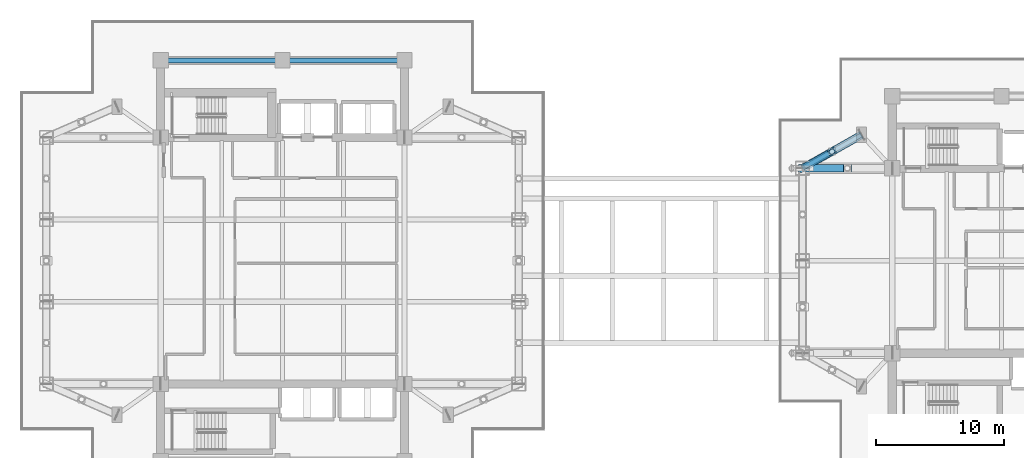
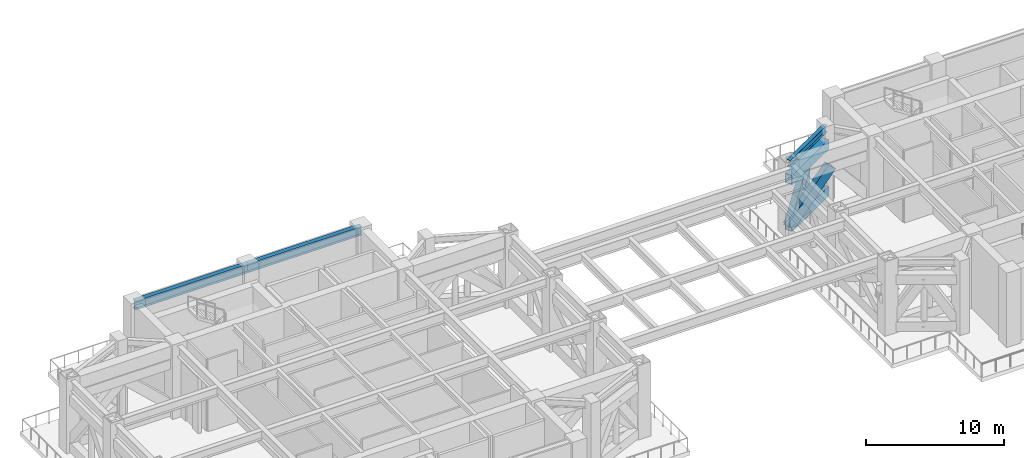
# One storey, part 4 of 21: 5 members, 3 beams.
"""IFC4 building model written with IfcOpenShell, lengths in metres."""

from ifc_helpers import new_model, si_unit, direction, frame, origin, origin_2d, place, context, subcontext, project, spatial, hollow_rectangle, hollow_circle, i_section, extrude, material, material_profile, profile_set, type_object, element, save


model = new_model("IFC4")

# Units and contexts
model_context = context("Model", 3, precision=1e-05, world=origin(), true_north=direction((0.0, 1.0)))
body_context = subcontext(model_context, "Body", "Model", "MODEL_VIEW")
ifc_project = project(units=[si_unit("LENGTHUNIT", "METRE"), si_unit("AREAUNIT", "SQUARE_METRE"), si_unit("VOLUMEUNIT", "CUBIC_METRE"), si_unit("PLANEANGLEUNIT", "RADIAN"), si_unit("MASSUNIT", "GRAM", prefix="KILO")], contexts=[model_context])

# Site, building, storey
site_placement = place(None, origin())
site = spatial("IfcSite", under=ifc_project, at=site_placement, CompositionType="ELEMENT")
building_placement = place(site_placement, origin())
building = spatial("IfcBuilding", under=site, at=building_placement, Name="Mirazonda Arch Towers", CompositionType="ELEMENT")
storey_placement = place(building_placement, frame((0.0, 0.0, 81.800048828125)))
storey = spatial("IfcBuildingStorey", under=building, at=storey_placement, Name="L23", CompositionType="ELEMENT", Elevation=81.800048828125)

# Beams
ifc_material_1 = material(Name="Steel ASTM A992 Grade 50", Category="steel")
ifc_material_profile_1 = material_profile(ifc_material_1, i_section(OverallWidth=0.324951171875, OverallDepth=0.615966796875, WebThickness=0.013916015625, FlangeThickness=0.021484375, at=origin_2d()), Name="W24X117")
ifc_profile_set_1 = profile_set([ifc_material_profile_1], Name="Steel ASTM A992 Grade 50")
beam_type_1 = type_object("IfcBeamType", Name="BM-INT-W24X117", PredefinedType="BEAM", material=ifc_profile_set_1)
beam_placement = place(storey_placement, frame((65.60009765625, 37.800048828125, 6.072021484375), z_axis=(-0.870559396632, -0.492063346467, 0.0), x_axis=(0.492063346467, -0.870559396632, 0.0)))
element("IfcBeam", 1, at=beam_placement, inside=storey, type_object=beam_type_1, Name="L23 Floor Beam BM-T2-L23-PL-NW2", PredefinedType="BEAM", context=body_context, shape_type="SweptSolid", body=[
    extrude(i_section(OverallWidth=0.324951171875, OverallDepth=0.615966796875, WebThickness=0.013916015625, FlangeThickness=0.021484375, at=origin_2d()), origin(), (0.0, 0.0, 1.0), 5.2841796875),
])
ifc_material_profile_2 = material_profile(ifc_material_1, i_section(OverallWidth=0.381103515625, OverallDepth=0.77294921875, WebThickness=0.0166015625, FlangeThickness=0.027099609375, at=origin_2d()), Name="W30X173")
ifc_profile_set_2 = profile_set([ifc_material_profile_2], Name="Steel ASTM A992 Grade 50")
beam_type_2 = type_object("IfcBeamType", Name="BM-INT-W30X173", PredefinedType="USERDEFINED", material=ifc_profile_set_2)
for number, where, z_axis, x_axis, name in (
    (2, (11.0, 43.60009765625, 5.993408203125), (1.0, 0.0, 0.0), (0.0, 1.0, 0.0), "L23 Floor Beam BM-T1-L23-CN1"),
    (3, (20.5, 43.60009765625, 5.993408203125), (1.0, 0.0, 0.0), (0.0, 1.0, 0.0), "L23 Floor Beam BM-T1-L23-CN2"),
):
    element("IfcBeam", number, at=place(storey_placement, frame(where, z_axis=z_axis, x_axis=x_axis)), inside=storey, type_object=beam_type_2, Name=name, ObjectType="GIRDER", PredefinedType="USERDEFINED", context=body_context, shape_type="SweptSolid", body=[
        extrude(i_section(OverallWidth=0.381103515625, OverallDepth=0.77294921875, WebThickness=0.0166015625, FlangeThickness=0.027099609375, at=origin_2d()), origin(), (0.0, 0.0, 1.0), 9.5),
    ])

# Members
ifc_material_2 = material(Name="Steel ASTM A572 Grade 50", Category="steel")
ifc_material_profile_3 = material_profile(ifc_material_2, hollow_rectangle(XDim=0.60009765625, YDim=0.85009765625, WallThickness=0.048095703125, at=origin_2d()), Name="BELTCHORD850x600x48")
ifc_profile_set_3 = profile_set([ifc_material_profile_3], Name="Steel ASTM A572 Grade 50")
member_type_1 = type_object("IfcMemberType", Name="MBR-EXT-BELTCHORD850x600x48", PredefinedType="CHORD", material=ifc_profile_set_3)
for number, where, z_axis, x_axis, name in (
    (4, (61.0, 35.199951171875, 0.550048828125), (0.870559396632, 0.492063346467, 0.0), (-0.492063346467, 0.870559396632, 0.0), "L23 T2 Wind-Portal Belt Chord BC07"),
    (5, (61.0, 35.199951171875, 4.699951171875), (0.870559396632, 0.492063346467, 0.0), (-0.492063346467, 0.870559396632, 0.0), "L23 T2 Wind-Portal Belt Chord TC07"),
):
    element("IfcMember", number, at=place(storey_placement, frame(where, z_axis=z_axis, x_axis=x_axis)), inside=storey, type_object=member_type_1, Name=name, PredefinedType="CHORD", context=body_context, shape_type="SweptSolid", body=[
        extrude(hollow_rectangle(XDim=0.60009765625, YDim=0.85009765625, WallThickness=0.048095703125, at=origin_2d()), origin(), (0.0, 0.0, 1.0), 5.2841796875),
    ])
ifc_material_profile_4 = material_profile(ifc_material_2, hollow_rectangle(XDim=0.5, YDim=0.699951171875, WallThickness=0.0400390625, at=origin_2d()), Name="BELTDIAG700x500x40")
ifc_profile_set_4 = profile_set([ifc_material_profile_4], Name="Steel ASTM A572 Grade 50")
member_type_2 = type_object("IfcMemberType", Name="MBR-EXT-BELTDIAG700x500x40", PredefinedType="BRACE", material=ifc_profile_set_4)
member_1_placement = place(storey_placement, frame((61.0, 35.199951171875, 0.550048828125), z_axis=(0.467531696518, 0.26426136121, 0.84355204091), x_axis=(-0.492063346467, 0.870559396632, 0.0)))
element("IfcMember", 6, at=member_1_placement, inside=storey, type_object=member_type_2, Name="L23 T2 Wind-Portal Belt Diagonal 07A", PredefinedType="BRACE", context=body_context, shape_type="SweptSolid", body=[
    extrude(hollow_rectangle(XDim=0.5, YDim=0.699951171875, WallThickness=0.0400390625, at=origin_2d()), origin(), (0.0, 0.0, 1.0), 4.919677734375),
])
ifc_material_profile_5 = material_profile(ifc_material_2, hollow_circle(Radius=0.228515625, WallThickness=0.02197265625, at=origin_2d()), Name="BELTSTRUT457x22CHS")
ifc_profile_set_5 = profile_set([ifc_material_profile_5], Name="Steel ASTM A572 Grade 50")
member_type_3 = type_object("IfcMemberType", Name="MBR-EXT-BELTSTRUT457x22CHS", PredefinedType="STRUT", material=ifc_profile_set_5)
member_2_placement = place(storey_placement, frame((63.300048828125, 36.5, 0.550048828125), z_axis=(0.0, 0.0, 1.0), x_axis=(1.0, 0.0, 0.0)))
element("IfcMember", 7, at=member_2_placement, inside=storey, type_object=member_type_3, Name="L23 T2 Wind-Portal Belt Strut 07", PredefinedType="STRUT", context=body_context, shape_type="SweptSolid", body=[
    extrude(hollow_circle(Radius=0.228515625, WallThickness=0.02197265625, at=origin_2d()), origin(), (0.0, 0.0, 1.0), 4.14990234375),
])
ifc_material_profile_6 = material_profile(ifc_material_2, hollow_rectangle(XDim=0.550048828125, YDim=0.800048828125, WallThickness=0.044921875, at=origin_2d()), Name="OUTRIGGER800x550x45")
ifc_profile_set_6 = profile_set([ifc_material_profile_6], Name="Steel ASTM A572 Grade 50")
member_type_4 = type_object("IfcMemberType", Name="MBR-INT-OUTRIGGER800x550x45", PredefinedType="BRACE", material=ifc_profile_set_6)
member_3_placement = place(storey_placement, frame((61.0, 35.199951171875, 0.550048828125), z_axis=(0.644711664983, 0.0, 0.764425842731), x_axis=(0.0, 1.0, 0.0)))
element("IfcMember", 8, at=member_3_placement, inside=storey, type_object=member_type_4, Name="L23 T2 Core Outrigger Diagonal 03A", PredefinedType="BRACE", context=body_context, shape_type="SweptSolid", body=[
    extrude(hollow_rectangle(XDim=0.550048828125, YDim=0.800048828125, WallThickness=0.044921875, at=origin_2d()), origin(), (0.0, 0.0, 1.0), 5.4287109375),
])

save(model, "model.ifc")
